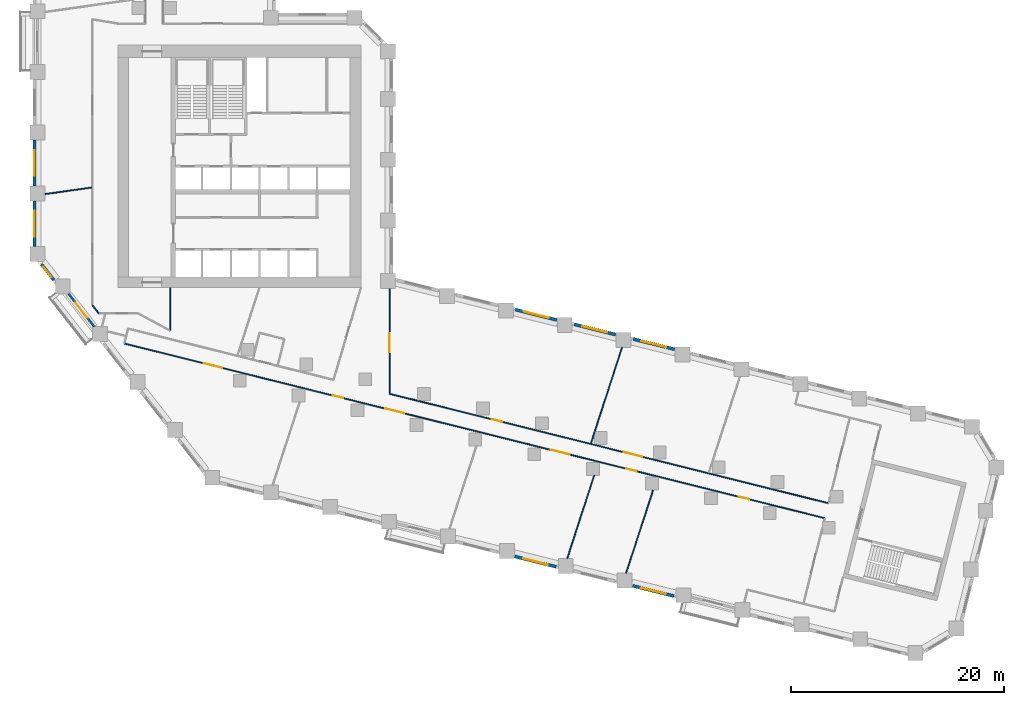
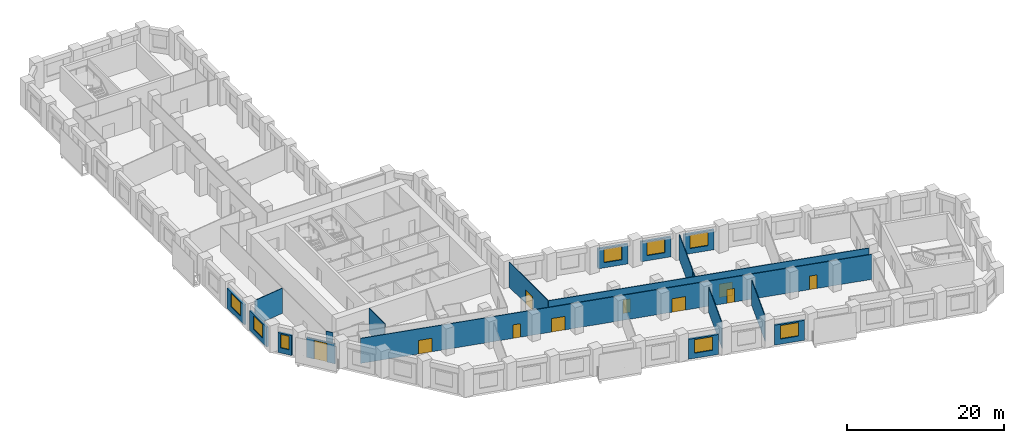
# One storey, part 4 of 12: 19 walls, 10 doors, 8 windows, 18 openings.
"""IFC4 building model written with IfcOpenShell, lengths in metres."""

from ifc_helpers import new_model, si_unit, direction, frame, frame_2d, origin, place, context, subcontext, project, spatial, rectangle, extrude, material, layer, layer_set, type_object, element, fill, save


model = new_model("IFC4")

# Units and contexts
model_context = context("Model", 3, precision=1e-05, world=origin(), true_north=direction((0.0, 1.0)))
body_context = subcontext(model_context, "Body", "Model", "MODEL_VIEW")
ifc_project = project(units=[si_unit("LENGTHUNIT", "METRE"), si_unit("AREAUNIT", "SQUARE_METRE"), si_unit("VOLUMEUNIT", "CUBIC_METRE"), si_unit("PLANEANGLEUNIT", "RADIAN"), si_unit("MASSUNIT", "GRAM", prefix="KILO")], contexts=[model_context])

# Site, building, storey
site_placement = place(None, origin())
site = spatial("IfcSite", under=ifc_project, at=site_placement, CompositionType="ELEMENT")
building_placement = place(site_placement, origin())
building = spatial("IfcBuilding", under=site, at=building_placement, Name="Meshkara Civic Tower", CompositionType="ELEMENT")
storey_placement = place(building_placement, frame((0.0, 0.0, 62.39990234375)))
storey = spatial("IfcBuildingStorey", under=building, at=storey_placement, Name="L13", CompositionType="ELEMENT", Elevation=62.39990234375)

# Wall
ifc_material_1 = material(Name="Corridor wall 100")
ifc_layer_1 = layer(ifc_material_1, 0.10009765625)
ifc_layer_set_1 = layer_set([ifc_layer_1], Name="Corridor wall 100")
wall_type_1 = type_object("IfcWallType", Name="Corridor wall 100", PredefinedType="PARTITIONING", material=ifc_layer_set_1)
wall_1_placement = place(storey_placement, frame((5.60009765625, 12.448974609375, 0.0), z_axis=(0.0, 0.0, 1.0), x_axis=(0.615504449569, -0.788133410383, 0.0)))
element("IfcWall", 1, at=wall_1_placement, inside=storey, type_object=wall_type_1, Name="L13-W003", PredefinedType="PARTITIONING", context=body_context, shape_type="SweptSolid", body=[
    extrude(rectangle(XDim=0.950439453125, YDim=0.10009765625, at=frame_2d((0.47509765625, 0.0))), origin(), (0.0, 0.0, 1.0), 3.900146484375),
])

# Wall, openings, doors
wall_2_placement = place(storey_placement, frame((8.593994140625, 8.862060546875, 0.0), z_axis=(0.0, 0.0, 1.0), x_axis=(0.970293392615, -0.241931255211, 0.0)))
wall_2 = element("IfcWall", 2, at=wall_2_placement, inside=storey, type_object=wall_type_1, Name="L13-W008", PredefinedType="PARTITIONING", context=body_context, shape_type="SweptSolid", body=[
    extrude(rectangle(XDim=67.775390625, YDim=0.10009765625, at=frame_2d((33.8876953125, 0.0))), origin(), (0.0, 0.0, 1.0), 3.900146484375),
])
opening_1_placement = place(wall_2_placement, frame((41.27099609375, 0.0, 0.0)))
opening_1 = element("IfcOpeningElement", 3, at=opening_1_placement, cuts=wall_2, Name="Opening L13-D003", PredefinedType="OPENING", context=body_context, shape_type="SweptSolid", body=[
    extrude(rectangle(XDim=1.800048828125, YDim=2.10009765625, at=frame_2d((0.89990234375, 1.050048828125))), frame((0.0, 0.06005859375, 0.0), z_axis=(0.0, -1.0, 0.0), x_axis=(1.0, 0.0, 0.0)), (0.0, 0.0, 1.0), 0.1201171875),
])
opening_2_placement = place(wall_2_placement, frame((48.571044921875, 0.0, 0.0)))
opening_2 = element("IfcOpeningElement", 4, at=opening_2_placement, cuts=wall_2, Name="Opening L13-D004", PredefinedType="OPENING", context=body_context, shape_type="SweptSolid", body=[
    extrude(rectangle(XDim=1.0, YDim=2.10009765625, at=frame_2d((0.5, 1.050048828125))), frame((0.0, 0.06005859375, 0.0), z_axis=(0.0, -1.0, 0.0), x_axis=(1.0, 0.0, 0.0)), (0.0, 0.0, 1.0), 0.1201171875),
])
opening_3_placement = place(wall_2_placement, frame((59.470947265625, 0.0, 0.0)))
opening_3 = element("IfcOpeningElement", 5, at=opening_3_placement, cuts=wall_2, Name="Opening L13-D006", PredefinedType="OPENING", context=body_context, shape_type="SweptSolid", body=[
    extrude(rectangle(XDim=1.0, YDim=2.10009765625, at=frame_2d((0.5, 1.050048828125))), frame((0.0, 0.06005859375, 0.0), z_axis=(0.0, -1.0, 0.0), x_axis=(1.0, 0.0, 0.0)), (0.0, 0.0, 1.0), 0.1201171875),
])
opening_4_placement = place(wall_2_placement, frame((20.1708984375, 0.0, 0.0)))
opening_4 = element("IfcOpeningElement", 6, at=opening_4_placement, cuts=wall_2, Name="Opening L13-D009", PredefinedType="OPENING", context=body_context, shape_type="SweptSolid", body=[
    extrude(rectangle(XDim=1.0, YDim=2.10009765625, at=frame_2d((0.5, 1.050048828125))), frame((0.0, 0.06005859375, 0.0), z_axis=(0.0, -1.0, 0.0), x_axis=(1.0, 0.0, 0.0)), (0.0, 0.0, 1.0), 0.1201171875),
])
opening_5_placement = place(wall_2_placement, frame((25.27099609375, 0.0, 0.0)))
opening_5 = element("IfcOpeningElement", 7, at=opening_5_placement, cuts=wall_2, Name="Opening L13-D010", PredefinedType="OPENING", context=body_context, shape_type="SweptSolid", body=[
    extrude(rectangle(XDim=1.800048828125, YDim=2.10009765625, at=frame_2d((0.89990234375, 1.050048828125))), frame((0.0, 0.06005859375, 0.0), z_axis=(0.0, -1.0, 0.0), x_axis=(1.0, 0.0, 0.0)), (0.0, 0.0, 1.0), 0.1201171875),
])
opening_6_placement = place(wall_2_placement, frame((7.679931640625, 0.0, 0.0)))
opening_6 = element("IfcOpeningElement", 8, at=opening_6_placement, cuts=wall_2, Name="Opening L13-D013", PredefinedType="OPENING", context=body_context, shape_type="SweptSolid", body=[
    extrude(rectangle(XDim=1.800048828125, YDim=2.10009765625, at=frame_2d((0.89990234375, 1.050048828125))), frame((0.0, 0.06005859375, 0.0), z_axis=(0.0, -1.0, 0.0), x_axis=(1.0, 0.0, 0.0)), (0.0, 0.0, 1.0), 0.1201171875),
])
ifc_material_2 = material(Name="Door 1000 x 2100")
door_type_1 = type_object("IfcDoorType", Name="Door 1000 x 2100", OperationType="SINGLE_SWING_LEFT", PredefinedType="DOOR", material=ifc_material_2)
door_1_placement = place(opening_2_placement, origin())
door_1 = element("IfcDoor", 9, at=door_1_placement, inside=storey, type_object=door_type_1, Name="L13-D004", OperationType="SINGLE_SWING_LEFT", OverallHeight=2.10009765625, OverallWidth=1.0, PredefinedType="DOOR", context=body_context, shape_type="SweptSolid", body=[
    extrude(rectangle(XDim=1.0, YDim=2.10009765625, at=frame_2d((0.5, 1.050048828125))), frame((0.0, 0.02490234375, 0.0), z_axis=(0.0, -1.0, 0.0), x_axis=(1.0, 0.0, 0.0)), (0.0, 0.0, 1.0), 0.050048828125),
])
fill(opening_2, door_1)
door_2_placement = place(opening_3_placement, origin())
door_2 = element("IfcDoor", 10, at=door_2_placement, inside=storey, type_object=door_type_1, Name="L13-D006", OperationType="SINGLE_SWING_LEFT", OverallHeight=2.10009765625, OverallWidth=1.0, PredefinedType="DOOR", context=body_context, shape_type="SweptSolid", body=[
    extrude(rectangle(XDim=1.0, YDim=2.10009765625, at=frame_2d((0.5, 1.050048828125))), frame((0.0, 0.02490234375, 0.0), z_axis=(0.0, -1.0, 0.0), x_axis=(1.0, 0.0, 0.0)), (0.0, 0.0, 1.0), 0.050048828125),
])
fill(opening_3, door_2)
door_3_placement = place(opening_4_placement, origin())
door_3 = element("IfcDoor", 11, at=door_3_placement, inside=storey, type_object=door_type_1, Name="L13-D009", OperationType="SINGLE_SWING_RIGHT", OverallHeight=2.10009765625, OverallWidth=1.0, PredefinedType="DOOR", context=body_context, shape_type="SweptSolid", body=[
    extrude(rectangle(XDim=1.0, YDim=2.10009765625, at=frame_2d((0.5, 1.050048828125))), frame((0.0, 0.02490234375, 0.0), z_axis=(0.0, -1.0, 0.0), x_axis=(1.0, 0.0, 0.0)), (0.0, 0.0, 1.0), 0.050048828125),
])
fill(opening_4, door_3)
ifc_material_3 = material(Name="Door pair 1800 x 2100")
door_type_2 = type_object("IfcDoorType", Name="Door pair 1800 x 2100", OperationType="SINGLE_SWING_LEFT", PredefinedType="DOOR", material=ifc_material_3)
door_4_placement = place(opening_1_placement, origin())
door_4 = element("IfcDoor", 12, at=door_4_placement, inside=storey, type_object=door_type_2, Name="L13-D003", OperationType="DOUBLE_DOOR_SINGLE_SWING", OverallHeight=2.10009765625, OverallWidth=1.800048828125, PredefinedType="DOOR", context=body_context, shape_type="SweptSolid", body=[
    extrude(rectangle(XDim=1.800048828125, YDim=2.10009765625, at=frame_2d((0.89990234375, 1.050048828125))), frame((0.0, 0.02490234375, 0.0), z_axis=(0.0, -1.0, 0.0), x_axis=(1.0, 0.0, 0.0)), (0.0, 0.0, 1.0), 0.050048828125),
])
fill(opening_1, door_4)
door_5_placement = place(opening_5_placement, origin())
door_5 = element("IfcDoor", 13, at=door_5_placement, inside=storey, type_object=door_type_2, Name="L13-D010", OperationType="DOUBLE_DOOR_SINGLE_SWING", OverallHeight=2.10009765625, OverallWidth=1.800048828125, PredefinedType="DOOR", context=body_context, shape_type="SweptSolid", body=[
    extrude(rectangle(XDim=1.800048828125, YDim=2.10009765625, at=frame_2d((0.89990234375, 1.050048828125))), frame((0.0, 0.02490234375, 0.0), z_axis=(0.0, -1.0, 0.0), x_axis=(1.0, 0.0, 0.0)), (0.0, 0.0, 1.0), 0.050048828125),
])
fill(opening_5, door_5)
door_6_placement = place(opening_6_placement, origin())
door_6 = element("IfcDoor", 14, at=door_6_placement, inside=storey, type_object=door_type_2, Name="L13-D013", OperationType="DOUBLE_DOOR_SINGLE_SWING", OverallHeight=2.10009765625, OverallWidth=1.800048828125, PredefinedType="DOOR", context=body_context, shape_type="SweptSolid", body=[
    extrude(rectangle(XDim=1.800048828125, YDim=2.10009765625, at=frame_2d((0.89990234375, 1.050048828125))), frame((0.0, 0.02490234375, 0.0), z_axis=(0.0, -1.0, 0.0), x_axis=(1.0, 0.0, 0.0)), (0.0, 0.0, 1.0), 0.050048828125),
])
fill(opening_6, door_6)

# Wall
wall_3_placement = place(storey_placement, frame((12.89990234375, 10.077880859375, 0.0), z_axis=(0.0, 0.0, 1.0), x_axis=(0.0, 1.0, 0.0)))
element("IfcWall", 15, at=wall_3_placement, inside=storey, type_object=wall_type_1, Name="L13-W015", PredefinedType="PARTITIONING", context=body_context, shape_type="SweptSolid", body=[
    extrude(rectangle(XDim=4.022216796875, YDim=0.10009765625, at=frame_2d((2.01123046875, 0.0))), origin(), (0.0, 0.0, 1.0), 3.900146484375),
])

# Wall, openings, doors
wall_4_placement = place(storey_placement, frame((33.5, 4.14111328125, 0.0), z_axis=(0.0, 0.0, 1.0), x_axis=(0.970297862511, -0.241913327467, 0.0)))
wall_4 = element("IfcWall", 16, at=wall_4_placement, inside=storey, type_object=wall_type_1, Name="L13-W022", PredefinedType="PARTITIONING", context=body_context, shape_type="SweptSolid", body=[
    extrude(rectangle(XDim=42.46630859375, YDim=0.10009765625, at=frame_2d((21.233154296875, 0.0))), origin(), (0.0, 0.0, 1.0), 3.900146484375),
])
opening_7_placement = place(wall_4_placement, frame((22.64111328125, 0.0, 0.0)))
opening_7 = element("IfcOpeningElement", 17, at=opening_7_placement, cuts=wall_4, Name="Opening L13-D005", PredefinedType="OPENING", context=body_context, shape_type="SweptSolid", body=[
    extrude(rectangle(XDim=1.800048828125, YDim=2.10009765625, at=frame_2d((0.89990234375, 1.050048828125))), frame((0.0, 0.06005859375, 0.0), z_axis=(0.0, -1.0, 0.0), x_axis=(1.0, 0.0, 0.0)), (0.0, 0.0, 1.0), 0.1201171875),
])
opening_8_placement = place(wall_4_placement, frame((9.8798828125, 0.0, 0.0)))
opening_8 = element("IfcOpeningElement", 18, at=opening_8_placement, cuts=wall_4, Name="Opening L13-D011", PredefinedType="OPENING", context=body_context, shape_type="SweptSolid", body=[
    extrude(rectangle(XDim=1.0, YDim=2.10009765625, at=frame_2d((0.5, 1.050048828125))), frame((0.0, 0.06005859375, 0.0), z_axis=(0.0, -1.0, 0.0), x_axis=(1.0, 0.0, 0.0)), (0.0, 0.0, 1.0), 0.1201171875),
])
door_7_placement = place(opening_8_placement, origin())
door_7 = element("IfcDoor", 19, at=door_7_placement, inside=storey, type_object=door_type_1, Name="L13-D011", OperationType="SINGLE_SWING_RIGHT", OverallHeight=2.10009765625, OverallWidth=1.0, PredefinedType="DOOR", context=body_context, shape_type="SweptSolid", body=[
    extrude(rectangle(XDim=1.0, YDim=2.10009765625, at=frame_2d((0.5, 1.050048828125))), frame((0.0, 0.02490234375, 0.0), z_axis=(0.0, -1.0, 0.0), x_axis=(1.0, 0.0, 0.0)), (0.0, 0.0, 1.0), 0.050048828125),
])
fill(opening_8, door_7)
door_8_placement = place(opening_7_placement, origin())
door_8 = element("IfcDoor", 20, at=door_8_placement, inside=storey, type_object=door_type_2, Name="L13-D005", OperationType="DOUBLE_DOOR_SINGLE_SWING", OverallHeight=2.10009765625, OverallWidth=1.800048828125, PredefinedType="DOOR", context=body_context, shape_type="SweptSolid", body=[
    extrude(rectangle(XDim=1.800048828125, YDim=2.10009765625, at=frame_2d((0.89990234375, 1.050048828125))), frame((0.0, 0.02490234375, 0.0), z_axis=(0.0, -1.0, 0.0), x_axis=(1.0, 0.0, 0.0)), (0.0, 0.0, 1.0), 0.050048828125),
])
fill(opening_7, door_8)

# Wall, opening, door
wall_5_placement = place(storey_placement, frame((33.5, 4.14111328125, 0.0), z_axis=(0.0, 0.0, 1.0), x_axis=(0.0, 1.0, 0.0)))
wall_5 = element("IfcWall", 21, at=wall_5_placement, inside=storey, type_object=wall_type_1, Name="L13-W023", PredefinedType="PARTITIONING", context=body_context, shape_type="SweptSolid", body=[
    extrude(rectangle(XDim=9.8779296875, YDim=0.10009765625, at=frame_2d((4.93896484375, 0.0))), origin(), (0.0, 0.0, 1.0), 3.900146484375),
])
opening_9_placement = place(wall_5_placement, frame((3.8798828125, 0.0, 0.0)))
opening_9 = element("IfcOpeningElement", 22, at=opening_9_placement, cuts=wall_5, Name="Opening L13-D016", PredefinedType="OPENING", context=body_context, shape_type="SweptSolid", body=[
    extrude(rectangle(XDim=1.800048828125, YDim=2.10009765625, at=frame_2d((0.89990234375, 1.050048828125))), frame((0.0, 0.06005859375, 0.0), z_axis=(0.0, -1.0, 0.0), x_axis=(1.0, 0.0, 0.0)), (0.0, 0.0, 1.0), 0.1201171875),
])
door_9_placement = place(opening_9_placement, origin())
door_9 = element("IfcDoor", 23, at=door_9_placement, inside=storey, type_object=door_type_2, Name="L13-D016", OperationType="DOUBLE_DOOR_SINGLE_SWING", OverallHeight=2.10009765625, OverallWidth=1.800048828125, PredefinedType="DOOR", context=body_context, shape_type="SweptSolid", body=[
    extrude(rectangle(XDim=1.800048828125, YDim=2.10009765625, at=frame_2d((0.89990234375, 1.050048828125))), frame((0.0, 0.02490234375, 0.0), z_axis=(0.0, -1.0, 0.0), x_axis=(1.0, 0.0, 0.0)), (0.0, 0.0, 1.0), 0.050048828125),
])
fill(opening_9, door_9)

# Wall, opening, window
ifc_material_4 = material(Name="Insulated infill panel with bronze anodised aluminium cladding", Category="aluminium")
ifc_layer_2 = layer(ifc_material_4, 0.300048828125)
ifc_layer_set_2 = layer_set([ifc_layer_2], Name="EXTERNAL INFILL WALL 300")
wall_type_2 = type_object("IfcWallType", Name="EXTERNAL INFILL WALL 300", PredefinedType="SOLIDWALL", material=ifc_layer_set_2)
wall_6_placement = place(storey_placement, frame((60.251953125, 8.321044921875, 0.0), z_axis=(0.0, 0.0, 1.0), x_axis=(-0.970303772127, 0.241889623168, 0.0)))
wall_6 = element("IfcWall", 24, at=wall_6_placement, inside=storey, type_object=wall_type_2, Name="External wall", PredefinedType="SOLIDWALL", context=body_context, shape_type="SweptSolid", body=[
    extrude(rectangle(XDim=4.001953125, YDim=0.300048828125, at=frame_2d((2.0009765625, 0.0))), origin(), (0.0, 0.0, 1.0), 3.10009765625),
])
opening_10_placement = place(wall_6_placement, frame((0.801025390625, 0.0, 0.800048828125)))
opening_10 = element("IfcOpeningElement", 25, at=opening_10_placement, cuts=wall_6, Name="Opening W7", PredefinedType="OPENING", context=body_context, shape_type="SweptSolid", body=[
    extrude(rectangle(XDim=2.39990234375, YDim=2.10009765625, at=frame_2d((1.199951171875, 1.050048828125))), frame((0.0, 0.159912109375, 0.0), z_axis=(0.0, -1.0, 0.0), x_axis=(1.0, 0.0, 0.0)), (0.0, 0.0, 1.0), 0.320068359375),
])
ifc_material_5 = material(Name="Tinted double glazing", Category="glass")
window_type_1 = type_object("IfcWindowType", Name="WINDOW 2400x2100", PartitioningType="DOUBLE_PANEL_VERTICAL", PredefinedType="WINDOW", material=ifc_material_5)
window_1_placement = place(opening_10_placement, origin())
window_1 = element("IfcWindow", 26, at=window_1_placement, inside=storey, type_object=window_type_1, Name="Window", OverallHeight=2.10009765625, OverallWidth=2.39990234375, PartitioningType="DOUBLE_PANEL_VERTICAL", PredefinedType="WINDOW", context=body_context, shape_type="SweptSolid", body=[
    extrude(rectangle(XDim=2.39990234375, YDim=2.10009765625, at=frame_2d((1.199951171875, 1.050048828125))), frame((0.0, 0.030029296875, 0.0), z_axis=(0.0, -1.0, 0.0), x_axis=(1.0, 0.0, 0.0)), (0.0, 0.0, 1.0), 0.06005859375),
])
fill(opening_10, window_1)

wall_7_placement = place(storey_placement, frame((54.721923828125, 9.699951171875, 0.0), z_axis=(0.0, 0.0, 1.0), x_axis=(-0.970318045095, 0.24183236211, 0.0)))
wall_7 = element("IfcWall", 27, at=wall_7_placement, inside=storey, type_object=wall_type_2, Name="External wall", PredefinedType="SOLIDWALL", context=body_context, shape_type="SweptSolid", body=[
    extrude(rectangle(XDim=4.0029296875, YDim=0.300048828125, at=frame_2d((2.00146484375, 0.0))), origin(), (0.0, 0.0, 1.0), 3.10009765625),
])
opening_11_placement = place(wall_7_placement, frame((0.802001953125, 0.0, 0.800048828125)))
opening_11 = element("IfcOpeningElement", 28, at=opening_11_placement, cuts=wall_7, Name="Opening W7", PredefinedType="OPENING", context=body_context, shape_type="SweptSolid", body=[
    extrude(rectangle(XDim=2.39990234375, YDim=2.10009765625, at=frame_2d((1.199951171875, 1.050048828125))), frame((0.0, 0.159912109375, 0.0), z_axis=(0.0, -1.0, 0.0), x_axis=(1.0, 0.0, 0.0)), (0.0, 0.0, 1.0), 0.320068359375),
])
window_2_placement = place(opening_11_placement, origin())
window_2 = element("IfcWindow", 29, at=window_2_placement, inside=storey, type_object=window_type_1, Name="Window", OverallHeight=2.10009765625, OverallWidth=2.39990234375, PartitioningType="DOUBLE_PANEL_VERTICAL", PredefinedType="WINDOW", context=body_context, shape_type="SweptSolid", body=[
    extrude(rectangle(XDim=2.39990234375, YDim=2.10009765625, at=frame_2d((1.199951171875, 1.050048828125))), frame((0.0, 0.030029296875, 0.0), z_axis=(0.0, -1.0, 0.0), x_axis=(1.0, 0.0, 0.0)), (0.0, 0.0, 1.0), 0.06005859375),
])
fill(opening_11, window_2)

wall_8_placement = place(storey_placement, frame((49.19091796875, 11.0791015625, 0.0), z_axis=(0.0, 0.0, 1.0), x_axis=(-0.970318045095, 0.24183236211, 0.0)))
wall_8 = element("IfcWall", 30, at=wall_8_placement, inside=storey, type_object=wall_type_2, Name="External wall", PredefinedType="SOLIDWALL", context=body_context, shape_type="SweptSolid", body=[
    extrude(rectangle(XDim=4.0029296875, YDim=0.300048828125, at=frame_2d((2.00146484375, 0.0))), origin(), (0.0, 0.0, 1.0), 3.10009765625),
])
opening_12_placement = place(wall_8_placement, frame((0.802001953125, 0.0, 0.800048828125)))
opening_12 = element("IfcOpeningElement", 31, at=opening_12_placement, cuts=wall_8, Name="Opening W7", PredefinedType="OPENING", context=body_context, shape_type="SweptSolid", body=[
    extrude(rectangle(XDim=2.39990234375, YDim=2.10009765625, at=frame_2d((1.199951171875, 1.050048828125))), frame((0.0, 0.159912109375, 0.0), z_axis=(0.0, -1.0, 0.0), x_axis=(1.0, 0.0, 0.0)), (0.0, 0.0, 1.0), 0.320068359375),
])
window_3_placement = place(opening_12_placement, origin())
window_3 = element("IfcWindow", 32, at=window_3_placement, inside=storey, type_object=window_type_1, Name="Window", OverallHeight=2.10009765625, OverallWidth=2.39990234375, PartitioningType="DOUBLE_PANEL_VERTICAL", PredefinedType="WINDOW", context=body_context, shape_type="SweptSolid", body=[
    extrude(rectangle(XDim=2.39990234375, YDim=2.10009765625, at=frame_2d((1.199951171875, 1.050048828125))), frame((0.0, 0.030029296875, 0.0), z_axis=(0.0, -1.0, 0.0), x_axis=(1.0, 0.0, 0.0)), (0.0, 0.0, 1.0), 0.06005859375),
])
fill(opening_12, window_3)

wall_9_placement = place(storey_placement, frame((0.14990234375, 27.955078125, 0.0), z_axis=(0.0, 0.0, 1.0), x_axis=(0.0, -1.0, 0.0)))
wall_9 = element("IfcWall", 33, at=wall_9_placement, inside=storey, type_object=wall_type_2, Name="External wall", PredefinedType="SOLIDWALL", context=body_context, shape_type="SweptSolid", body=[
    extrude(rectangle(XDim=4.300048828125, YDim=0.300048828125, at=frame_2d((2.14990234375, 0.0))), origin(), (0.0, 0.0, 1.0), 3.10009765625),
])
opening_13_placement = place(wall_9_placement, frame((0.949951171875, 0.0, 0.800048828125)))
opening_13 = element("IfcOpeningElement", 34, at=opening_13_placement, cuts=wall_9, Name="Opening W7", PredefinedType="OPENING", context=body_context, shape_type="SweptSolid", body=[
    extrude(rectangle(XDim=2.39990234375, YDim=2.10009765625, at=frame_2d((1.199951171875, 1.050048828125))), frame((0.0, 0.159912109375, 0.0), z_axis=(0.0, -1.0, 0.0), x_axis=(1.0, 0.0, 0.0)), (0.0, 0.0, 1.0), 0.320068359375),
])
window_4_placement = place(opening_13_placement, origin())
window_4 = element("IfcWindow", 35, at=window_4_placement, inside=storey, type_object=window_type_1, Name="Window", OverallHeight=2.10009765625, OverallWidth=2.39990234375, PartitioningType="DOUBLE_PANEL_VERTICAL", PredefinedType="WINDOW", context=body_context, shape_type="SweptSolid", body=[
    extrude(rectangle(XDim=2.39990234375, YDim=2.10009765625, at=frame_2d((1.199951171875, 1.050048828125))), frame((0.0, 0.030029296875, 0.0), z_axis=(0.0, -1.0, 0.0), x_axis=(1.0, 0.0, 0.0)), (0.0, 0.0, 1.0), 0.06005859375),
])
fill(opening_13, window_4)

wall_10_placement = place(storey_placement, frame((0.14990234375, 22.2548828125, 0.0), z_axis=(0.0, 0.0, 1.0), x_axis=(0.0, -1.0, 0.0)))
wall_10 = element("IfcWall", 36, at=wall_10_placement, inside=storey, type_object=wall_type_2, Name="External wall", PredefinedType="SOLIDWALL", context=body_context, shape_type="SweptSolid", body=[
    extrude(rectangle(XDim=4.2998046875, YDim=0.300048828125, at=frame_2d((2.14990234375, 0.0))), origin(), (0.0, 0.0, 1.0), 3.10009765625),
])
opening_14_placement = place(wall_10_placement, frame((0.949951171875, 0.0, 0.800048828125)))
opening_14 = element("IfcOpeningElement", 37, at=opening_14_placement, cuts=wall_10, Name="Opening W7", PredefinedType="OPENING", context=body_context, shape_type="SweptSolid", body=[
    extrude(rectangle(XDim=2.39990234375, YDim=2.10009765625, at=frame_2d((1.199951171875, 1.050048828125))), frame((0.0, 0.159912109375, 0.0), z_axis=(0.0, -1.0, 0.0), x_axis=(1.0, 0.0, 0.0)), (0.0, 0.0, 1.0), 0.320068359375),
])
window_5_placement = place(opening_14_placement, origin())
window_5 = element("IfcWindow", 38, at=window_5_placement, inside=storey, type_object=window_type_1, Name="Window", OverallHeight=2.10009765625, OverallWidth=2.39990234375, PartitioningType="DOUBLE_PANEL_VERTICAL", PredefinedType="WINDOW", context=body_context, shape_type="SweptSolid", body=[
    extrude(rectangle(XDim=2.39990234375, YDim=2.10009765625, at=frame_2d((1.199951171875, 1.050048828125))), frame((0.0, 0.030029296875, 0.0), z_axis=(0.0, -1.0, 0.0), x_axis=(1.0, 0.0, 0.0)), (0.0, 0.0, 1.0), 0.06005859375),
])
fill(opening_14, window_5)

wall_11_placement = place(storey_placement, frame((0.818115234375, 16.2958984375, 0.0), z_axis=(0.0, 0.0, 1.0), x_axis=(0.615985155343, -0.787757759973, 0.0)))
wall_11 = element("IfcWall", 39, at=wall_11_placement, inside=storey, type_object=wall_type_2, Name="External wall", PredefinedType="SOLIDWALL", context=body_context, shape_type="SweptSolid", body=[
    extrude(rectangle(XDim=1.874755859375, YDim=0.300048828125, at=frame_2d((0.9375, 0.0))), origin(), (0.0, 0.0, 1.0), 3.10009765625),
])
opening_15_placement = place(wall_11_placement, frame((0.3369140625, 0.0, 0.800048828125)))
opening_15 = element("IfcOpeningElement", 40, at=opening_15_placement, cuts=wall_11, Name="Opening W3", PredefinedType="OPENING", context=body_context, shape_type="SweptSolid", body=[
    extrude(rectangle(XDim=1.199951171875, YDim=2.10009765625, at=frame_2d((0.60009765625, 1.050048828125))), frame((0.0, 0.159912109375, 0.0), z_axis=(0.0, -1.0, 0.0), x_axis=(1.0, 0.0, 0.0)), (0.0, 0.0, 1.0), 0.320068359375),
])
ifc_material_6 = material(Name="Tinted double glazing", Category="glass")
window_type_2 = type_object("IfcWindowType", Name="WINDOW 1200x2100", PartitioningType="SINGLE_PANEL", PredefinedType="WINDOW", material=ifc_material_6)
window_6_placement = place(opening_15_placement, origin())
window_6 = element("IfcWindow", 41, at=window_6_placement, inside=storey, type_object=window_type_2, Name="Window", OverallHeight=2.10009765625, OverallWidth=1.199951171875, PartitioningType="SINGLE_PANEL", PredefinedType="WINDOW", context=body_context, shape_type="SweptSolid", body=[
    extrude(rectangle(XDim=1.199951171875, YDim=2.10009765625, at=frame_2d((0.60009765625, 1.050048828125))), frame((0.0, 0.030029296875, 0.0), z_axis=(0.0, -1.0, 0.0), x_axis=(1.0, 0.0, 0.0)), (0.0, 0.0, 1.0), 0.06005859375),
])
fill(opening_15, window_6)

wall_12_placement = place(storey_placement, frame((45.256103515625, -11.12890625, 0.0), z_axis=(0.0, 0.0, 1.0), x_axis=(0.970300202301, -0.241903942538, 0.0)))
wall_12 = element("IfcWall", 42, at=wall_12_placement, inside=storey, type_object=wall_type_2, Name="External wall", PredefinedType="SOLIDWALL", context=body_context, shape_type="SweptSolid", body=[
    extrude(rectangle(XDim=4.001708984375, YDim=0.300048828125, at=frame_2d((2.0009765625, 0.0))), origin(), (0.0, 0.0, 1.0), 3.10009765625),
])
opening_16_placement = place(wall_12_placement, frame((0.801025390625, 0.0, 0.800048828125)))
opening_16 = element("IfcOpeningElement", 43, at=opening_16_placement, cuts=wall_12, Name="Opening W7", PredefinedType="OPENING", context=body_context, shape_type="SweptSolid", body=[
    extrude(rectangle(XDim=2.39990234375, YDim=2.10009765625, at=frame_2d((1.199951171875, 1.050048828125))), frame((0.0, 0.159912109375, 0.0), z_axis=(0.0, -1.0, 0.0), x_axis=(1.0, 0.0, 0.0)), (0.0, 0.0, 1.0), 0.320068359375),
])
window_7_placement = place(opening_16_placement, origin())
window_7 = element("IfcWindow", 44, at=window_7_placement, inside=storey, type_object=window_type_1, Name="Window", OverallHeight=2.10009765625, OverallWidth=2.39990234375, PartitioningType="DOUBLE_PANEL_VERTICAL", PredefinedType="WINDOW", context=body_context, shape_type="SweptSolid", body=[
    extrude(rectangle(XDim=2.39990234375, YDim=2.10009765625, at=frame_2d((1.199951171875, 1.050048828125))), frame((0.0, 0.030029296875, 0.0), z_axis=(0.0, -1.0, 0.0), x_axis=(1.0, 0.0, 0.0)), (0.0, 0.0, 1.0), 0.06005859375),
])
fill(opening_16, window_7)

wall_13_placement = place(storey_placement, frame((56.31689453125, -13.886962890625, 0.0), z_axis=(0.0, 0.0, 1.0), x_axis=(0.970318045095, -0.24183236211, 0.0)))
wall_13 = element("IfcWall", 45, at=wall_13_placement, inside=storey, type_object=wall_type_2, Name="External wall", PredefinedType="SOLIDWALL", context=body_context, shape_type="SweptSolid", body=[
    extrude(rectangle(XDim=4.0029296875, YDim=0.300048828125, at=frame_2d((2.00146484375, 0.0))), origin(), (0.0, 0.0, 1.0), 3.10009765625),
])
opening_17_placement = place(wall_13_placement, frame((0.802001953125, 0.0, 0.800048828125)))
opening_17 = element("IfcOpeningElement", 46, at=opening_17_placement, cuts=wall_13, Name="Opening W7", PredefinedType="OPENING", context=body_context, shape_type="SweptSolid", body=[
    extrude(rectangle(XDim=2.39990234375, YDim=2.10009765625, at=frame_2d((1.199951171875, 1.050048828125))), frame((0.0, 0.159912109375, 0.0), z_axis=(0.0, -1.0, 0.0), x_axis=(1.0, 0.0, 0.0)), (0.0, 0.0, 1.0), 0.320068359375),
])
window_8_placement = place(opening_17_placement, origin())
window_8 = element("IfcWindow", 47, at=window_8_placement, inside=storey, type_object=window_type_1, Name="Window", OverallHeight=2.10009765625, OverallWidth=2.39990234375, PartitioningType="DOUBLE_PANEL_VERTICAL", PredefinedType="WINDOW", context=body_context, shape_type="SweptSolid", body=[
    extrude(rectangle(XDim=2.39990234375, YDim=2.10009765625, at=frame_2d((1.199951171875, 1.050048828125))), frame((0.0, 0.030029296875, 0.0), z_axis=(0.0, -1.0, 0.0), x_axis=(1.0, 0.0, 0.0)), (0.0, 0.0, 1.0), 0.06005859375),
])
fill(opening_17, window_8)

# Wall, opening, door
ifc_material_7 = material(Name="Insulated infill panel with bronze anodised aluminium cladding", Category="aluminium")
ifc_layer_3 = layer(ifc_material_7, 0.199951171875)
ifc_layer_set_3 = layer_set([ifc_layer_3], Name="LOGGIA BACK WALL 200")
wall_type_3 = type_object("IfcWallType", Name="LOGGIA BACK WALL 200", PredefinedType="SOLIDWALL", material=ifc_layer_set_3)
wall_14_placement = place(storey_placement, frame((3.361083984375, 13.529052734375, 0.0), z_axis=(0.0, 0.0, 1.0), x_axis=(0.615507574125, -0.788130970204, 0.0)))
wall_14 = element("IfcWall", 48, at=wall_14_placement, inside=storey, type_object=wall_type_3, Name="Loggia wall", PredefinedType="SOLIDWALL", context=body_context, shape_type="SweptSolid", body=[
    extrude(rectangle(XDim=3.92333984375, YDim=0.199951171875, at=frame_2d((1.961669921875, 0.0))), origin(), (0.0, 0.0, 1.0), 3.10009765625),
])
opening_18_placement = place(wall_14_placement, frame((1.06103515625, 0.0, 0.0)))
opening_18 = element("IfcOpeningElement", 49, at=opening_18_placement, cuts=wall_14, Name="Opening L13-L003", PredefinedType="OPENING", context=body_context, shape_type="SweptSolid", body=[
    extrude(rectangle(XDim=1.800048828125, YDim=2.89990234375, at=frame_2d((0.89990234375, 1.449951171875))), frame((0.0, 0.10986328125, 0.0), z_axis=(0.0, -1.0, 0.0), x_axis=(1.0, 0.0, 0.0)), (0.0, 0.0, 1.0), 0.219970703125),
])
ifc_material_8 = material(Name="Tinted double glazing", Category="glass")
door_type_3 = type_object("IfcDoorType", Name="LOGGIA DOOR 1800x2900", OperationType="DOUBLE_DOOR_SINGLE_SWING", PredefinedType="DOOR", material=ifc_material_8)
door_10_placement = place(opening_18_placement, origin())
door_10 = element("IfcDoor", 50, at=door_10_placement, inside=storey, type_object=door_type_3, Name="L13-L003", OperationType="DOUBLE_DOOR_SINGLE_SWING", OverallHeight=2.89990234375, OverallWidth=1.800048828125, PredefinedType="DOOR", context=body_context, shape_type="SweptSolid", body=[
    extrude(rectangle(XDim=1.800048828125, YDim=2.89990234375, at=frame_2d((0.89990234375, 1.449951171875))), frame((0.0, 0.02490234375, 0.0), z_axis=(0.0, -1.0, 0.0), x_axis=(1.0, 0.0, 0.0)), (0.0, 0.0, 1.0), 0.050048828125),
])
fill(opening_18, door_10)

# Walls
ifc_material_9 = material(Name="Partition 100")
ifc_layer_4 = layer(ifc_material_9, 0.10009765625)
ifc_layer_set_4 = layer_set([ifc_layer_4], Name="Partition 100")
wall_type_4 = type_object("IfcWallType", Name="Partition 100", PredefinedType="PARTITIONING", material=ifc_layer_set_4)
wall_15_placement = place(storey_placement, frame((5.54296875, 23.509033203125, 0.0), z_axis=(0.0, 0.0, 1.0), x_axis=(-0.990252072439, -0.139286873143, 0.0)))
element("IfcWall", 51, at=wall_15_placement, inside=storey, type_object=wall_type_4, Name="L13-W034", PredefinedType="PARTITIONING", context=body_context, shape_type="SweptSolid", body=[
    extrude(rectangle(XDim=4.436279296875, YDim=0.10009765625, at=frame_2d((2.21826171875, 0.0))), origin(), (0.0, 0.0, 1.0), 3.900146484375),
])
wall_16_placement = place(storey_placement, frame((50.178955078125, -11.31103515625, 0.0), z_axis=(0.0, 0.0, 1.0), x_axis=(0.308964190268, 0.951073671769, 0.0)))
element("IfcWall", 52, at=wall_16_placement, inside=storey, type_object=wall_type_4, Name="L13-W050", PredefinedType="PARTITIONING", context=body_context, shape_type="SweptSolid", body=[
    extrude(rectangle(XDim=8.1982421875, YDim=0.10009765625, at=frame_2d((4.09912109375, 0.0))), origin(), (0.0, 0.0, 1.0), 3.900146484375),
])
wall_17_placement = place(storey_placement, frame((52.39990234375, -0.51611328125, 0.0), z_axis=(0.0, 0.0, 1.0), x_axis=(0.308438532557, 0.95124427548, 0.0)))
element("IfcWall", 53, at=wall_17_placement, inside=storey, type_object=wall_type_4, Name="L13-W051", PredefinedType="PARTITIONING", context=body_context, shape_type="SweptSolid", body=[
    extrude(rectangle(XDim=1.082763671875, YDim=0.10009765625, at=frame_2d((0.54150390625, 0.0))), origin(), (0.0, 0.0, 1.0), 3.900146484375),
])
wall_18_placement = place(storey_placement, frame((52.760986328125, 0.596923828125, 0.0), z_axis=(0.0, 0.0, 1.0), x_axis=(0.308940631074, 0.951081324846, 0.0)))
element("IfcWall", 54, at=wall_18_placement, inside=storey, type_object=wall_type_4, Name="L13-W052", PredefinedType="PARTITIONING", context=body_context, shape_type="SweptSolid", body=[
    extrude(rectangle(XDim=8.312744140625, YDim=0.10009765625, at=frame_2d((4.15625, 0.0))), origin(), (0.0, 0.0, 1.0), 3.900146484375),
])
wall_19_placement = place(storey_placement, frame((55.708984375, -12.68994140625, 0.0), z_axis=(0.0, 0.0, 1.0), x_axis=(0.309045674924, 0.951047196942, 0.0)))
element("IfcWall", 55, at=wall_19_placement, inside=storey, type_object=wall_type_4, Name="L13-W053", PredefinedType="PARTITIONING", context=body_context, shape_type="SweptSolid", body=[
    extrude(rectangle(XDim=8.19921875, YDim=0.10009765625, at=frame_2d((4.099609375, 0.0))), origin(), (0.0, 0.0, 1.0), 3.900146484375),
])

save(model, "model.ifc")
